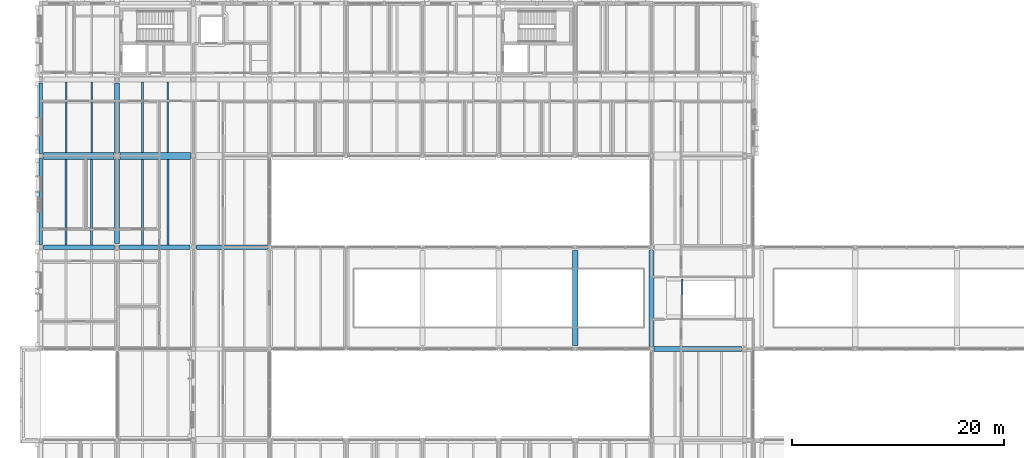
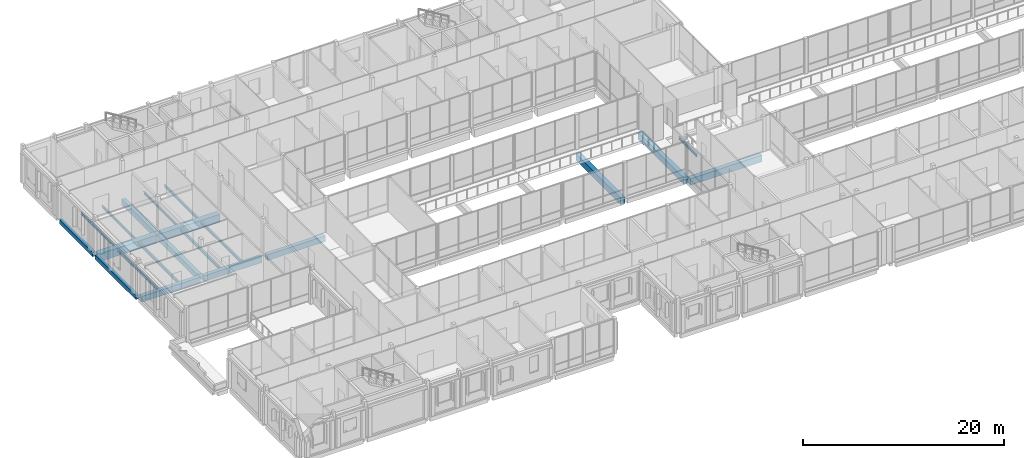
# One storey, part 39 of 146: 21 beams.
"""IFC4 building model written with IfcOpenShell, lengths in metres."""

from ifc_helpers import new_model, si_unit, direction, frame, origin, origin_2d, place, context, subcontext, project, spatial, rectangle, i_section, extrude, material, material_profile, profile_set, type_object, element, save


model = new_model("IFC4")

# Units and contexts
model_context = context("Model", 3, precision=1e-05, world=origin(), true_north=direction((0.0, 1.0)))
body_context = subcontext(model_context, "Body", "Model", "MODEL_VIEW")
ifc_project = project(units=[si_unit("LENGTHUNIT", "METRE"), si_unit("AREAUNIT", "SQUARE_METRE"), si_unit("VOLUMEUNIT", "CUBIC_METRE"), si_unit("PLANEANGLEUNIT", "RADIAN"), si_unit("MASSUNIT", "GRAM", prefix="KILO")], contexts=[model_context])

# Site, building, storey
site_placement = place(None, origin())
site = spatial("IfcSite", under=ifc_project, at=site_placement, CompositionType="ELEMENT")
building_placement = place(site_placement, origin())
building = spatial("IfcBuilding", under=site, at=building_placement, Name="Hawrajan Terrace Health Centre", CompositionType="ELEMENT")
storey_placement = place(building_placement, frame((0.0, 0.0, 4.5)))
storey = spatial("IfcBuildingStorey", under=building, at=storey_placement, Name="L01", CompositionType="ELEMENT", Elevation=4.5)

# Beams
ifc_material_1 = material(Name="Concrete C40/50", Category="concrete")
ifc_material_profile_1 = material_profile(ifc_material_1, rectangle(XDim=0.449951171875, YDim=0.699951171875, at=origin_2d()), Name="RC BM 450x700")
ifc_profile_set_1 = profile_set([ifc_material_profile_1], Name="Concrete C40/50")
beam_type_1 = type_object("IfcBeamType", Name="RCGirder_450x700", PredefinedType="BEAM", material=ifc_profile_set_1)
beam_1_placement = place(storey_placement, frame((4.85009765625, 36.800048828125, -0.64990234375), z_axis=(1.0, 0.0, 0.0), x_axis=(0.0, 1.0, 0.0)))
element("IfcBeam", 1, at=beam_1_placement, inside=storey, type_object=beam_type_1, Name="Beam BM-X-L01-W-01-Y5", PredefinedType="BEAM", context=body_context, shape_type="SweptSolid", body=[
    extrude(rectangle(XDim=0.449951171875, YDim=0.699951171875, at=origin_2d()), origin(), (0.0, 0.0, 1.0), 6.724853515625),
])
for number, where, z_axis, x_axis, name in (
    (2, (12.02490234375, 36.800048828125, -0.64990234375), (1.0, 0.0, 0.0), (0.0, 1.0, 0.0), "Beam BM-X-L01-W-02-Y5"),
    (3, (19.300048828125, 36.800048828125, -0.64990234375), (1.0, 0.0, 0.0), (0.0, 1.0, 0.0), "Beam BM-X-L01-W-03-Y5"),
):
    element("IfcBeam", number, at=place(storey_placement, frame(where, z_axis=z_axis, x_axis=x_axis)), inside=storey, type_object=beam_type_1, Name=name, PredefinedType="BEAM", context=body_context, shape_type="SweptSolid", body=[
        extrude(rectangle(XDim=0.449951171875, YDim=0.699951171875, at=origin_2d()), origin(), (0.0, 0.0, 1.0), 6.675048828125),
    ])
beam_2_placement = place(storey_placement, frame((11.800048828125, 37.125, -0.64990234375), z_axis=(0.0, 1.0, 0.0), x_axis=(-1.0, 0.0, 0.0)))
element("IfcBeam", 4, at=beam_2_placement, inside=storey, type_object=beam_type_1, Name="Beam BM-Y-L01-W-X02-5", PredefinedType="BEAM", context=body_context, shape_type="SweptSolid", body=[
    extrude(rectangle(XDim=0.449951171875, YDim=0.699951171875, at=origin_2d()), origin(), (0.0, 0.0, 1.0), 7.97509765625),
])
beam_3_placement = place(storey_placement, frame((11.800048828125, 45.699951171875, -0.64990234375), z_axis=(0.0, 1.0, 0.0), x_axis=(-1.0, 0.0, 0.0)))
element("IfcBeam", 5, at=beam_3_placement, inside=storey, type_object=beam_type_1, Name="Beam BM-Y-L01-W-X02-6", PredefinedType="BEAM", context=body_context, shape_type="SweptSolid", body=[
    extrude(rectangle(XDim=0.449951171875, YDim=0.699951171875, at=origin_2d()), origin(), (0.0, 0.0, 1.0), 6.574951171875),
])
ifc_material_profile_2 = material_profile(ifc_material_1, rectangle(XDim=0.5, YDim=0.800048828125, at=origin_2d()), Name="RC BM 500x800")
ifc_profile_set_2 = profile_set([ifc_material_profile_2], Name="Concrete C40/50")
beam_type_2 = type_object("IfcBeamType", Name="RCGirder_500x800", PredefinedType="BEAM", material=ifc_profile_set_2)
beam_4_placement = place(storey_placement, frame((62.449951171875, 27.199951171875, -0.699951171875), z_axis=(1.0, 0.0, 0.0), x_axis=(0.0, 1.0, 0.0)))
element("IfcBeam", 6, at=beam_4_placement, inside=storey, type_object=beam_type_2, Name="Beam BM-X-L01-W-09-Y4", PredefinedType="BEAM", context=body_context, shape_type="SweptSolid", body=[
    extrude(rectangle(XDim=0.5, YDim=0.800048828125, at=origin_2d()), origin(), (0.0, 0.0, 1.0), 8.25),
])
beam_5_placement = place(storey_placement, frame((55.0, 27.52490234375, -0.699951171875), z_axis=(0.0, 1.0, 0.0), x_axis=(-1.0, 0.0, 0.0)))
element("IfcBeam", 7, at=beam_5_placement, inside=storey, type_object=beam_type_2, Name="Beam BM-Y-L01-W-X08-4", PredefinedType="BEAM", context=body_context, shape_type="SweptSolid", body=[
    extrude(rectangle(XDim=0.5, YDim=0.800048828125, at=origin_2d()), origin(), (0.0, 0.0, 1.0), 8.9501953125),
])
beam_6_placement = place(storey_placement, frame((62.199951171875, 27.449951171875, -0.699951171875), z_axis=(0.0, 1.0, 0.0), x_axis=(-1.0, 0.0, 0.0)))
element("IfcBeam", 8, at=beam_6_placement, inside=storey, type_object=beam_type_2, Name="Beam BM-Y-L01-W-X09-4", PredefinedType="BEAM", context=body_context, shape_type="SweptSolid", body=[
    extrude(rectangle(XDim=0.5, YDim=0.800048828125, at=origin_2d()), origin(), (0.0, 0.0, 1.0), 9.050048828125),
])
ifc_material_profile_3 = material_profile(ifc_material_1, rectangle(XDim=0.35009765625, YDim=0.52001953125, at=origin_2d()), Name="RC SP 350x520")
ifc_profile_set_3 = profile_set([ifc_material_profile_3], Name="Concrete C40/50")
beam_type_3 = type_object("IfcBeamType", Name="RCSpandrel_350x520", PredefinedType="SPANDREL", material=ifc_profile_set_3)
beam_7_placement = place(storey_placement, frame((4.60009765625, 37.050048828125, -0.56005859375), z_axis=(0.0, 1.0, 0.0), x_axis=(-1.0, 0.0, 0.0)))
element("IfcBeam", 9, at=beam_7_placement, inside=storey, type_object=beam_type_3, Name="Beam BM-Y-L01-W-X01-5", PredefinedType="SPANDREL", context=body_context, shape_type="SweptSolid", body=[
    extrude(rectangle(XDim=0.35009765625, YDim=0.52001953125, at=origin_2d()), origin(), (0.0, 0.0, 1.0), 8.099853515625),
])
beam_8_placement = place(storey_placement, frame((4.60009765625, 45.64990234375, -0.56005859375), z_axis=(0.0, 1.0, 0.0), x_axis=(-1.0, 0.0, 0.0)))
element("IfcBeam", 10, at=beam_8_placement, inside=storey, type_object=beam_type_3, Name="Beam BM-Y-L01-W-X01-6", PredefinedType="SPANDREL", context=body_context, shape_type="SweptSolid", body=[
    extrude(rectangle(XDim=0.35009765625, YDim=0.52001953125, at=origin_2d()), origin(), (0.0, 0.0, 1.0), 6.650146484375),
])
ifc_material_profile_4 = material_profile(ifc_material_1, rectangle(XDim=0.64990234375, YDim=0.949951171875, at=origin_2d()), Name="RC TG 650x950")
ifc_profile_set_4 = profile_set([ifc_material_profile_4], Name="Concrete C40/50")
beam_type_4 = type_object("IfcBeamType", Name="RCTransferGirder_650x950", PredefinedType="BEAM", material=ifc_profile_set_4)
for number, where, z_axis, x_axis, name in (
    (11, (4.85009765625, 45.39990234375, -0.77490234375), (1.0, 0.0, 0.0), (0.0, 1.0, 0.0), "Beam BM-X-L01-W-01-Y6"),
    (12, (12.10009765625, 45.39990234375, -0.77490234375), (1.0, 0.0, 0.0), (0.0, 1.0, 0.0), "Beam BM-X-L01-W-02-Y6"),
):
    element("IfcBeam", number, at=place(storey_placement, frame(where, z_axis=z_axis, x_axis=x_axis)), inside=storey, type_object=beam_type_4, Name=name, PredefinedType="BEAM", context=body_context, shape_type="SweptSolid", body=[
        extrude(rectangle(XDim=0.64990234375, YDim=0.949951171875, at=origin_2d()), origin(), (0.0, 0.0, 1.0), 6.64990234375),
    ])
ifc_material_2 = material(Name="Steel S355", Category="steel")
ifc_material_profile_5 = material_profile(ifc_material_2, i_section(OverallWidth=0.14990234375, OverallDepth=0.300048828125, WebThickness=0.007080078125, FlangeThickness=0.0107421875, FilletRadius=0.014892578125, at=origin_2d()), Name="IPE 300")
ifc_profile_set_5 = profile_set([ifc_material_profile_5], Name="Steel S355")
beam_type_5 = type_object("IfcBeamType", Name="SteelBeam_IPE300", PredefinedType="JOIST", material=ifc_profile_set_5)
for number, where, z_axis, x_axis, name in (
    (13, (7.0, 45.72509765625, -0.449951171875), (0.0, 1.0, 0.0), (-1.0, 0.0, 0.0), "Secondary joist JST-L01-W-01-6-1"),
    (14, (9.39990234375, 45.72509765625, -0.449951171875), (0.0, 1.0, 0.0), (-1.0, 0.0, 0.0), "Secondary joist JST-L01-W-01-6-2"),
    (15, (14.199951171875, 45.72509765625, -0.449951171875), (0.0, 1.0, 0.0), (-1.0, 0.0, 0.0), "Secondary joist JST-L01-W-02-6-1"),
    (16, (16.60009765625, 45.72509765625, -0.449951171875), (0.0, 1.0, 0.0), (-1.0, 0.0, 0.0), "Secondary joist JST-L01-W-02-6-2"),
):
    element("IfcBeam", number, at=place(storey_placement, frame(where, z_axis=z_axis, x_axis=x_axis)), inside=storey, type_object=beam_type_5, Name=name, PredefinedType="JOIST", context=body_context, shape_type="SweptSolid", body=[
        extrude(i_section(OverallWidth=0.14990234375, OverallDepth=0.300048828125, WebThickness=0.007080078125, FlangeThickness=0.0107421875, FilletRadius=0.014892578125, at=origin_2d()), origin(), (0.0, 0.0, 1.0), 6.64990234375),
    ])
beam_9_placement = place(storey_placement, frame((65.10009765625, 30.219970703125, -0.3701171875), z_axis=(0.0, 1.0, 0.0), x_axis=(-1.0, 0.0, 0.0)))
element("IfcBeam", 17, at=beam_9_placement, inside=storey, type_object=beam_type_5, Name="Stair top trimmer ST-10", PredefinedType="JOIST", context=body_context, shape_type="SweptSolid", body=[
    extrude(i_section(OverallWidth=0.14990234375, OverallDepth=0.300048828125, WebThickness=0.007080078125, FlangeThickness=0.0107421875, FilletRadius=0.014892578125, at=origin_2d()), origin(), (0.0, 0.0, 1.0), 3.56005859375),
])
ifc_material_profile_6 = material_profile(ifc_material_2, i_section(OverallWidth=0.169921875, OverallDepth=0.360107421875, WebThickness=0.008056640625, FlangeThickness=0.0126953125, FilletRadius=0.01806640625, at=origin_2d()), Name="IPE 360")
ifc_profile_set_6 = profile_set([ifc_material_profile_6], Name="Steel S355")
beam_type_6 = type_object("IfcBeamType", Name="SteelBeam_IPE360", PredefinedType="BEAM", material=ifc_profile_set_6)
for number, where, z_axis, x_axis, name in (
    (18, (7.0, 37.02490234375, -0.47998046875), (0.0, 1.0, 0.0), (-1.0, 0.0, 0.0), "Secondary joist JST-L01-W-01-5-1"),
    (19, (9.39990234375, 37.02490234375, -0.47998046875), (0.0, 1.0, 0.0), (-1.0, 0.0, 0.0), "Secondary joist JST-L01-W-01-5-2"),
    (20, (14.199951171875, 37.02490234375, -0.47998046875), (0.0, 1.0, 0.0), (-1.0, 0.0, 0.0), "Secondary joist JST-L01-W-02-5-1"),
    (21, (16.60009765625, 37.02490234375, -0.47998046875), (0.0, 1.0, 0.0), (-1.0, 0.0, 0.0), "Secondary joist JST-L01-W-02-5-2"),
):
    element("IfcBeam", number, at=place(storey_placement, frame(where, z_axis=z_axis, x_axis=x_axis)), inside=storey, type_object=beam_type_6, Name=name, PredefinedType="BEAM", context=body_context, shape_type="SweptSolid", body=[
        extrude(i_section(OverallWidth=0.169921875, OverallDepth=0.360107421875, WebThickness=0.008056640625, FlangeThickness=0.0126953125, FilletRadius=0.01806640625, at=origin_2d()), origin(), (0.0, 0.0, 1.0), 8.050048828125),
    ])

save(model, "model.ifc")
